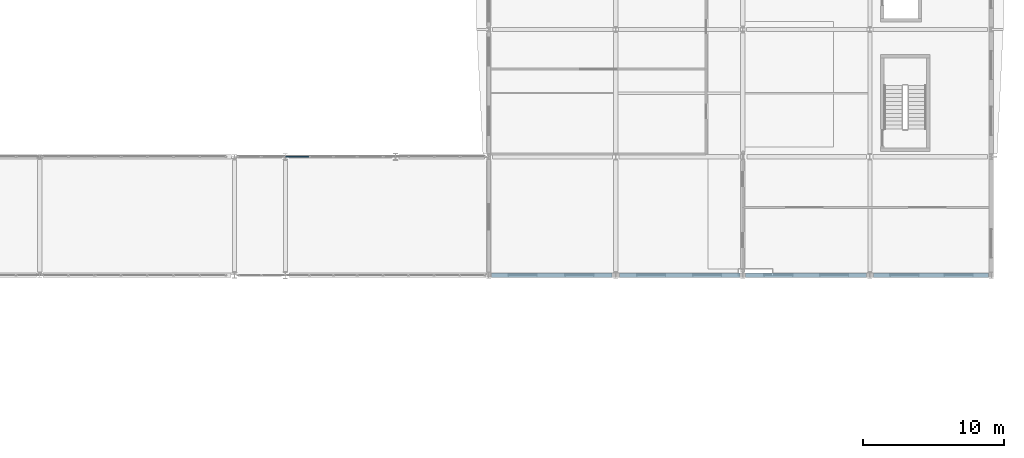
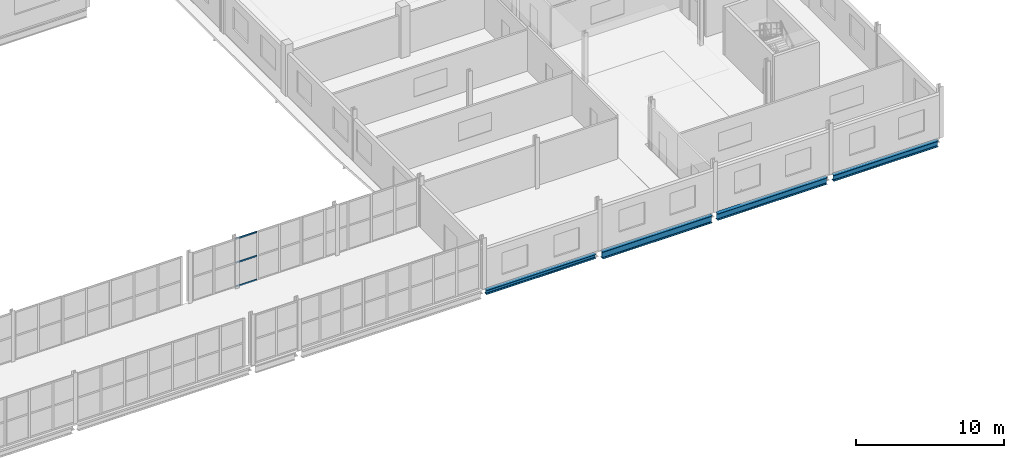
# One storey, part 67 of 121: 4 beams, 3 members, 1 element without a shape of its own.
"""IFC4 building model written with IfcOpenShell, lengths in metres."""

from ifc_helpers import new_model, si_unit, direction, frame, origin, origin_2d, place, context, subcontext, project, spatial, hollow_rectangle, i_section, extrude, material, layer, layer_set, material_profile, profile_set, type_object, element, aggregate, save


model = new_model("IFC4")

# Units and contexts
model_context = context("Model", 3, precision=1e-05, world=origin(), true_north=direction((0.0, 1.0)))
body_context = subcontext(model_context, "Body", "Model", "MODEL_VIEW")
ifc_project = project(units=[si_unit("LENGTHUNIT", "METRE"), si_unit("AREAUNIT", "SQUARE_METRE"), si_unit("VOLUMEUNIT", "CUBIC_METRE"), si_unit("PLANEANGLEUNIT", "RADIAN"), si_unit("MASSUNIT", "GRAM", prefix="KILO")], contexts=[model_context])

# Site, building, storey
site_placement = place(None, origin())
site = spatial("IfcSite", under=ifc_project, at=site_placement, CompositionType="ELEMENT")
building_placement = place(site_placement, origin())
building = spatial("IfcBuilding", under=site, at=building_placement, Name="Vinh Khe Railworks Police Headquarters", CompositionType="ELEMENT")
storey_placement = place(building_placement, frame((0.0, 0.0, 4.800048828125)))
storey = spatial("IfcBuildingStorey", under=building, at=storey_placement, Name="L01", CompositionType="ELEMENT", Elevation=4.800048828125)

# Beams
ifc_material_1 = material(Name="Steel S355JR", Category="steel")
ifc_material_profile_1 = material_profile(ifc_material_1, i_section(OverallWidth=0.300048828125, OverallDepth=0.35009765625, WebThickness=0.010009765625, FlangeThickness=0.017578125, FilletRadius=0.027099609375, at=origin_2d()), Name="HEA 360")
ifc_profile_set_1 = profile_set([ifc_material_profile_1], Name="Steel S355JR")
beam_type_1 = type_object("IfcBeamType", Name="Steel Girder HEA 360", PredefinedType="BEAM", material=ifc_profile_set_1)
beam_1_placement = place(storey_placement, frame((78.205078125, 96.0, -0.4150390625), z_axis=(1.0, 0.0, 0.0), x_axis=(0.0, 1.0, 0.0)))
element("IfcBeam", 1, at=beam_1_placement, inside=storey, type_object=beam_type_1, Name="Girder BM-L01-EW-SB-15-0486", PredefinedType="BEAM", context=body_context, shape_type="SweptSolid", body=[
    extrude(i_section(OverallWidth=0.300048828125, OverallDepth=0.35009765625, WebThickness=0.010009765625, FlangeThickness=0.017578125, FilletRadius=0.027099609375, at=origin_2d()), origin(), (0.0, 0.0, 1.0), 8.5400390625),
])
ifc_material_profile_2 = material_profile(ifc_material_1, i_section(OverallWidth=0.300048828125, OverallDepth=0.489990234375, WebThickness=0.011962890625, FlangeThickness=0.02294921875, FilletRadius=0.027099609375, at=origin_2d()), Name="HEA 500")
ifc_profile_set_2 = profile_set([ifc_material_profile_2], Name="Steel S355JR")
beam_type_2 = type_object("IfcBeamType", Name="Steel Girder HEA 500", PredefinedType="BEAM", material=ifc_profile_set_2)
beam_2_placement = place(storey_placement, frame((105.2548828125, 96.0, -0.485107421875), z_axis=(1.0, 0.0, 0.0), x_axis=(0.0, 1.0, 0.0)))
element("IfcBeam", 2, at=beam_2_placement, inside=storey, type_object=beam_type_2, Name="Girder BM-L01-EW-SB-12-0489", PredefinedType="BEAM", context=body_context, shape_type="SweptSolid", body=[
    extrude(i_section(OverallWidth=0.300048828125, OverallDepth=0.489990234375, WebThickness=0.011962890625, FlangeThickness=0.02294921875, FilletRadius=0.027099609375, at=origin_2d()), origin(), (0.0, 0.0, 1.0), 8.14013671875),
])
ifc_material_profile_3 = material_profile(ifc_material_1, i_section(OverallWidth=0.300048828125, OverallDepth=0.5400390625, WebThickness=0.012451171875, FlangeThickness=0.02392578125, FilletRadius=0.027099609375, at=origin_2d()), Name="HEA 550")
ifc_profile_set_3 = profile_set([ifc_material_profile_3], Name="Steel S355JR")
beam_type_3 = type_object("IfcBeamType", Name="Steel Girder HEA 550", PredefinedType="BEAM", material=ifc_profile_set_3)
beam_3_placement = place(storey_placement, frame((96.205078125, 96.0, -0.510009765625), z_axis=(1.0, 0.0, 0.0), x_axis=(0.0, 1.0, 0.0)))
element("IfcBeam", 3, at=beam_3_placement, inside=storey, type_object=beam_type_3, Name="Girder BM-L01-EW-SB-11-0488", PredefinedType="BEAM", context=body_context, shape_type="SweptSolid", body=[
    extrude(i_section(OverallWidth=0.300048828125, OverallDepth=0.5400390625, WebThickness=0.012451171875, FlangeThickness=0.02392578125, FilletRadius=0.027099609375, at=origin_2d()), origin(), (0.0, 0.0, 1.0), 8.5400390625),
])
ifc_material_profile_4 = material_profile(ifc_material_1, i_section(OverallWidth=0.300048828125, OverallDepth=0.590087890625, WebThickness=0.012939453125, FlangeThickness=0.02490234375, FilletRadius=0.027099609375, at=origin_2d()), Name="HEA 600")
ifc_profile_set_4 = profile_set([ifc_material_profile_4], Name="Steel S355JR")
beam_type_4 = type_object("IfcBeamType", Name="Steel Girder HEA 600", PredefinedType="BEAM", material=ifc_profile_set_4)
beam_4_placement = place(storey_placement, frame((87.2548828125, 96.0, -0.53515625), z_axis=(1.0, 0.0, 0.0), x_axis=(0.0, 1.0, 0.0)))
element("IfcBeam", 4, at=beam_4_placement, inside=storey, type_object=beam_type_4, Name="Girder BM-L01-EW-SB-10-0487", PredefinedType="BEAM", context=body_context, shape_type="SweptSolid", body=[
    extrude(i_section(OverallWidth=0.300048828125, OverallDepth=0.590087890625, WebThickness=0.012939453125, FlangeThickness=0.02490234375, FilletRadius=0.027099609375, at=origin_2d()), origin(), (0.0, 0.0, 1.0), 8.5400390625),
])

# Curtain wall, members
ifc_material_2 = material(Name="Anodised aluminium and solar-control glass", Category="aluminium")
ifc_layer = layer(ifc_material_2, 0.159912109375)
ifc_layer_set = layer_set([ifc_layer], Name="Anodised aluminium and solar-control glass")
curtain_wall_type = type_object("IfcCurtainWallType", Name="CW-SHOPFRONT", PredefinedType="USERDEFINED", material=ifc_layer_set)
curtain_wall_placement = place(storey_placement, origin())
curtain_wall = element("IfcCurtainWall", 5, at=curtain_wall_placement, inside=storey, type_object=curtain_wall_type, Name="Link Bridge North Glazing L01 Bay 5", ObjectType="UNITISED GLAZING", PredefinedType="USERDEFINED")
ifc_material_3 = material(Name="Anodised aluminium 6063-T6", Category="aluminium")
ifc_material_profile_5 = material_profile(ifc_material_3, hollow_rectangle(XDim=0.06005859375, YDim=0.1201171875, WallThickness=0.00390625, at=origin_2d()), Name="CW-T 60x120x4")
ifc_profile_set_5 = profile_set([ifc_material_profile_5], Name="Anodised aluminium 6063-T6")
member_type = type_object("IfcMemberType", Name="TRAN-CWT-01", PredefinedType="USERDEFINED", material=ifc_profile_set_5)
member_1_placement = place(storey_placement, frame((63.612060546875, 104.39990234375, 0.030029296875), z_axis=(1.0, 0.0, 0.0), x_axis=(0.0, 1.0, 0.0)))
member_1 = element("IfcMember", 6, at=member_1_placement, type_object=member_type, Name="CW-03 transom 3.1", ObjectType="TRANSOM", PredefinedType="USERDEFINED", context=body_context, shape_type="SweptSolid", body=[
    extrude(hollow_rectangle(XDim=0.06005859375, YDim=0.1201171875, WallThickness=0.00390625, at=origin_2d()), origin(), (0.0, 0.0, 1.0), 1.64599609375),
])
member_2_placement = place(storey_placement, frame((63.612060546875, 104.39990234375, 1.989990234375), z_axis=(1.0, 0.0, 0.0), x_axis=(0.0, 1.0, 0.0)))
member_2 = element("IfcMember", 7, at=member_2_placement, type_object=member_type, Name="CW-03 transom 3.2", ObjectType="TRANSOM", PredefinedType="USERDEFINED", context=body_context, shape_type="SweptSolid", body=[
    extrude(hollow_rectangle(XDim=0.06005859375, YDim=0.1201171875, WallThickness=0.00390625, at=origin_2d()), origin(), (0.0, 0.0, 1.0), 1.64599609375),
])
member_3_placement = place(storey_placement, frame((63.612060546875, 104.39990234375, 3.949951171875), z_axis=(1.0, 0.0, 0.0), x_axis=(0.0, 1.0, 0.0)))
member_3 = element("IfcMember", 8, at=member_3_placement, type_object=member_type, Name="CW-03 transom 3.3", ObjectType="TRANSOM", PredefinedType="USERDEFINED", context=body_context, shape_type="SweptSolid", body=[
    extrude(hollow_rectangle(XDim=0.06005859375, YDim=0.1201171875, WallThickness=0.00390625, at=origin_2d()), origin(), (0.0, 0.0, 1.0), 1.64599609375),
])
aggregate(curtain_wall, [member_1, member_2, member_3])

save(model, "model.ifc")
